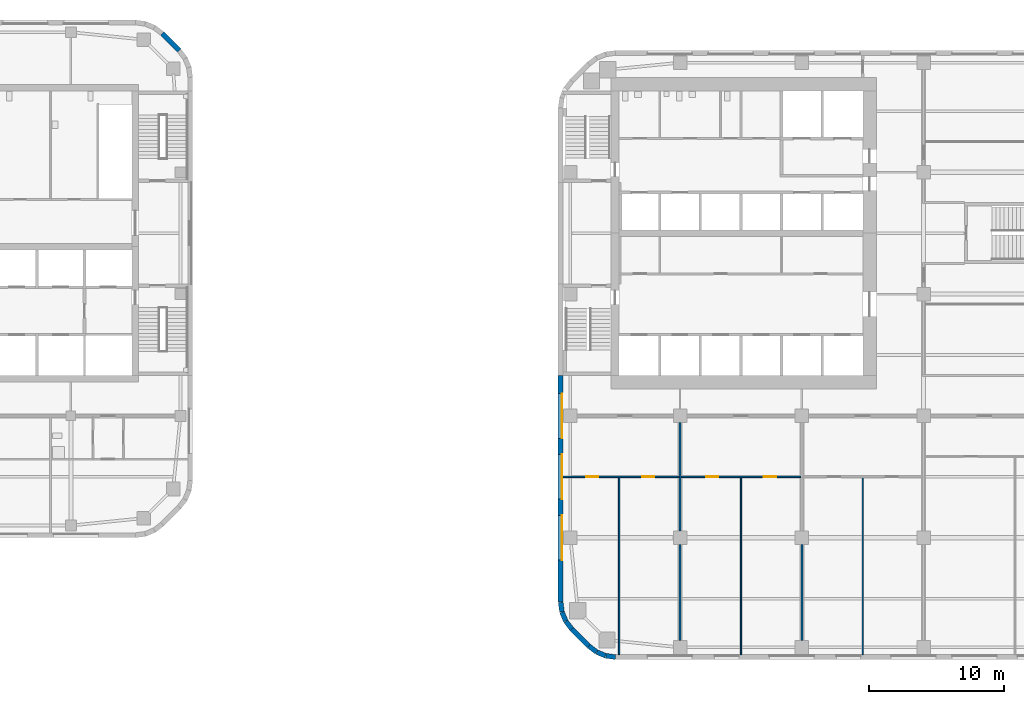
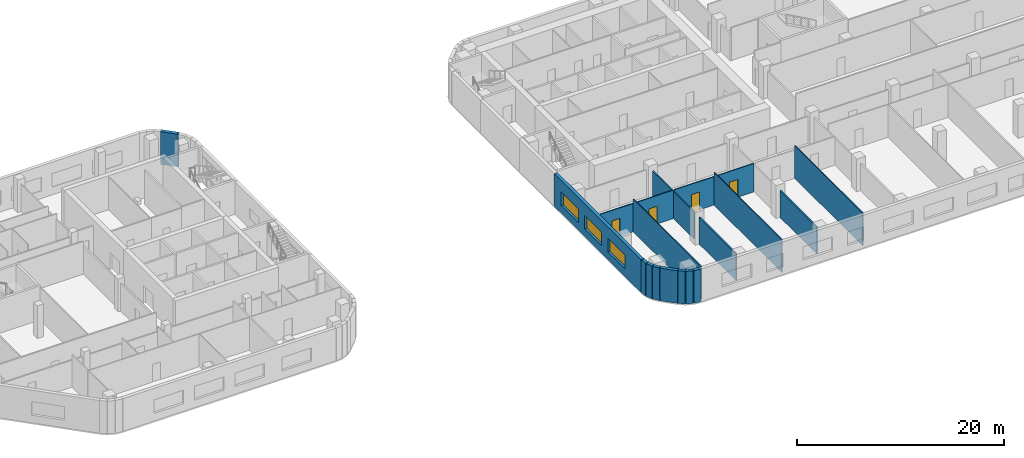
# One storey, part 8 of 16: 17 walls, 4 doors, 3 windows, 7 openings.
"""IFC4 building model written with IfcOpenShell, lengths in metres."""

from ifc_helpers import new_model, si_unit, direction, frame, frame_2d, origin, place, context, subcontext, project, spatial, rectangle, extrude, material, layer, layer_set, type_object, element, fill, save


model = new_model("IFC4")

# Units and contexts
model_context = context("Model", 3, precision=1e-05, world=origin(), true_north=direction((0.0, 1.0)))
body_context = subcontext(model_context, "Body", "Model", "MODEL_VIEW")
ifc_project = project(units=[si_unit("LENGTHUNIT", "METRE"), si_unit("AREAUNIT", "SQUARE_METRE"), si_unit("VOLUMEUNIT", "CUBIC_METRE"), si_unit("PLANEANGLEUNIT", "RADIAN"), si_unit("MASSUNIT", "GRAM", prefix="KILO")], contexts=[model_context])

# Site, building, storey
site_placement = place(None, origin())
site = spatial("IfcSite", under=ifc_project, at=site_placement, CompositionType="ELEMENT")
building_placement = place(site_placement, origin())
building = spatial("IfcBuilding", under=site, at=building_placement, Name="Cinnabar Reach Civic Tower", CompositionType="ELEMENT")
storey_placement = place(building_placement, frame((0.0, 0.0, 83.0)))
storey = spatial("IfcBuildingStorey", under=building, at=storey_placement, Name="L19", CompositionType="ELEMENT", Elevation=83.0)

# Walls
ifc_material_1 = material(Name="Facing brick with insulated backing", Category="masonry")
ifc_layer_1 = layer(ifc_material_1, 0.36)
ifc_layer_set_1 = layer_set([ifc_layer_1], Name="Brick corner wall")
wall_type_1 = type_object("IfcWallType", Name="Brick corner wall", PredefinedType="STANDARD", material=ifc_layer_set_1)
for number, where, z_axis, x_axis, name in (
    (1, (0.183, 4.2314, 0.0), (0.0, 0.0, 1.0), (0.13055608231, -0.99144092581, 0.0), "Brick corner wall"),
    (2, (0.2819, 3.5027, 0.0), (0.0, 0.0, 1.0), (0.382702709855, -0.923871547278, 0.0), "Brick corner wall"),
):
    element("IfcWall", number, at=place(storey_placement, frame(where, z_axis=z_axis, x_axis=x_axis)), inside=storey, type_object=wall_type_1, Name=name, PredefinedType="STANDARD", context=body_context, shape_type="SweptSolid", body=[
        extrude(rectangle(XDim=0.7131, YDim=0.36, at=frame_2d((0.3565, 0.0))), origin(), (0.0, 0.0, 1.0), 3.85),
    ])
for number, where, z_axis, x_axis, name in (
    (3, (0.566, 2.8245, 0.0), (0.0, 0.0, 1.0), (0.608802368033, -0.793321924995, 0.0), "Brick corner wall"),
    (4, (2.2587, 1.0002, 0.0), (0.0, 0.0, 1.0), (0.793321924995, -0.608802368033, 0.0), "Brick corner wall"),
):
    element("IfcWall", number, at=place(storey_placement, frame(where, z_axis=z_axis, x_axis=x_axis)), inside=storey, type_object=wall_type_1, Name=name, PredefinedType="STANDARD", context=body_context, shape_type="SweptSolid", body=[
        extrude(rectangle(XDim=0.7132, YDim=0.36, at=frame_2d((0.3566, 0.0))), origin(), (0.0, 0.0, 1.0), 3.85),
    ])
for number, where, z_axis, x_axis, name in (
    (5, (2.8439, 0.5548, 0.0), (0.0, 0.0, 1.0), (0.923871547278, -0.382702709855, 0.0), "Brick corner wall"),
    (6, (3.5244, 0.2761, 0.0), (0.0, 0.0, 1.0), (0.99144092581, -0.13055608231, 0.0), "Brick corner wall"),
):
    element("IfcWall", number, at=place(storey_placement, frame(where, z_axis=z_axis, x_axis=x_axis)), inside=storey, type_object=wall_type_1, Name=name, PredefinedType="STANDARD", context=body_context, shape_type="SweptSolid", body=[
        extrude(rectangle(XDim=0.7131, YDim=0.36, at=frame_2d((0.3565, 0.0))), origin(), (0.0, 0.0, 1.0), 3.85),
    ])

# Wall, openings, windows
ifc_layer_2 = layer(ifc_material_1, 0.36)
ifc_layer_set_2 = layer_set([ifc_layer_2], Name="Brick pier and spandrel wall")
wall_type_2 = type_object("IfcWallType", Name="Brick pier and spandrel wall", PredefinedType="STANDARD", material=ifc_layer_set_2)
wall_1_placement = place(storey_placement, frame((0.18, 21.0, 0.0), z_axis=(0.0, 0.0, 1.0), x_axis=(0.0, -1.0, 0.0)))
wall_1 = element("IfcWall", 7, at=wall_1_placement, inside=storey, type_object=wall_type_2, Name="Brick facade wall", PredefinedType="STANDARD", context=body_context, shape_type="SweptSolid", body=[
    extrude(rectangle(XDim=16.7574, YDim=0.36, at=frame_2d((8.3787, 0.0))), origin(), (0.0, 0.0, 1.0), 3.85),
])
opening_1_placement = place(wall_1_placement, frame((1.35, 0.0, 0.9)))
opening_1 = element("IfcOpeningElement", 8, at=opening_1_placement, cuts=wall_1, Name="Opening W1399", PredefinedType="OPENING", context=body_context, shape_type="SweptSolid", body=[
    extrude(rectangle(XDim=3.3, YDim=1.6, at=frame_2d((1.65, 0.8))), frame((0.0, 0.19, 0.0), z_axis=(0.0, -1.0, 0.0), x_axis=(1.0, 0.0, 0.0)), (0.0, 0.0, 1.0), 0.38),
])
opening_2_placement = place(wall_1_placement, frame((5.85, 0.0, 0.9)))
opening_2 = element("IfcOpeningElement", 9, at=opening_2_placement, cuts=wall_1, Name="Opening W1400", PredefinedType="OPENING", context=body_context, shape_type="SweptSolid", body=[
    extrude(rectangle(XDim=3.3, YDim=1.6, at=frame_2d((1.65, 0.8))), frame((0.0, 0.19, 0.0), z_axis=(0.0, -1.0, 0.0), x_axis=(1.0, 0.0, 0.0)), (0.0, 0.0, 1.0), 0.38),
])
opening_3_placement = place(wall_1_placement, frame((10.35, 0.0, 0.9)))
opening_3 = element("IfcOpeningElement", 10, at=opening_3_placement, cuts=wall_1, Name="Opening W1401", PredefinedType="OPENING", context=body_context, shape_type="SweptSolid", body=[
    extrude(rectangle(XDim=3.3, YDim=1.6, at=frame_2d((1.65, 0.8))), frame((0.0, 0.19, 0.0), z_axis=(0.0, -1.0, 0.0), x_axis=(1.0, 0.0, 0.0)), (0.0, 0.0, 1.0), 0.38),
])
ifc_material_2 = material(Name="Clear double glazing in aluminium frame", Category="aluminium")
window_type = type_object("IfcWindowType", Name="Deep-set window A", PartitioningType="SINGLE_PANEL", PredefinedType="WINDOW", material=ifc_material_2)
window_1_placement = place(opening_1_placement, origin())
window_1 = element("IfcWindow", 11, at=window_1_placement, inside=storey, type_object=window_type, Name="Window west face", OverallHeight=1.6, OverallWidth=3.3, PartitioningType="SINGLE_PANEL", PredefinedType="WINDOW", context=body_context, shape_type="SweptSolid", body=[
    extrude(rectangle(XDim=3.3, YDim=1.6, at=frame_2d((1.65, 0.8))), frame((0.0, 0.13, 0.0), z_axis=(0.0, -1.0, 0.0), x_axis=(1.0, 0.0, 0.0)), (0.0, 0.0, 1.0), 0.06),
])
fill(opening_1, window_1)
window_2_placement = place(opening_2_placement, origin())
window_2 = element("IfcWindow", 12, at=window_2_placement, inside=storey, type_object=window_type, Name="Window west face", OverallHeight=1.6, OverallWidth=3.3, PartitioningType="SINGLE_PANEL", PredefinedType="WINDOW", context=body_context, shape_type="SweptSolid", body=[
    extrude(rectangle(XDim=3.3, YDim=1.6, at=frame_2d((1.65, 0.8))), frame((0.0, 0.13, 0.0), z_axis=(0.0, -1.0, 0.0), x_axis=(1.0, 0.0, 0.0)), (0.0, 0.0, 1.0), 0.06),
])
fill(opening_2, window_2)
window_3_placement = place(opening_3_placement, origin())
window_3 = element("IfcWindow", 13, at=window_3_placement, inside=storey, type_object=window_type, Name="Window west face", OverallHeight=1.6, OverallWidth=3.3, PartitioningType="SINGLE_PANEL", PredefinedType="WINDOW", context=body_context, shape_type="SweptSolid", body=[
    extrude(rectangle(XDim=3.3, YDim=1.6, at=frame_2d((1.65, 0.8))), frame((0.0, 0.13, 0.0), z_axis=(0.0, -1.0, 0.0), x_axis=(1.0, 0.0, 0.0)), (0.0, 0.0, 1.0), 0.06),
])
fill(opening_3, window_3)

# Walls
for number, where, z_axis, x_axis, name in (
    (14, (1.006, 2.2486, 0.0), (0.0, 0.0, 1.0), (0.707106781187, -0.707106781187, 0.0), "Brick facade wall"),
    (15, (-28.006, 45.0014, 0.0), (0.0, 0.0, 1.0), (-0.707106781187, 0.707106781187, 0.0), "Brick facade wall"),
):
    element("IfcWall", number, at=place(storey_placement, frame(where, z_axis=z_axis, x_axis=x_axis)), inside=storey, type_object=wall_type_2, Name=name, PredefinedType="STANDARD", context=body_context, shape_type="SweptSolid", body=[
        extrude(rectangle(XDim=1.7573, YDim=0.36, at=frame_2d((0.8787, 0.0))), origin(), (0.0, 0.0, 1.0), 3.85),
    ])

# Wall, openings, doors
ifc_material_3 = material(Name="Gypsum board on steel studs", Category="steel")
ifc_layer_3 = layer(ifc_material_3, 0.1)
ifc_layer_set_3 = layer_set([ifc_layer_3], Name="Partition wall 100 T1")
wall_type_3 = type_object("IfcWallType", Name="Partition wall 100 T1", PredefinedType="PARTITIONING", material=ifc_layer_set_3)
wall_2_placement = place(storey_placement, frame((9.075, 13.5, 0.0), z_axis=(0.0, 0.0, 1.0), x_axis=(1.0, 0.0, 0.0)))
wall_2 = element("IfcWall", 16, at=wall_2_placement, inside=storey, type_object=wall_type_3, Name="Partition wall 56", PredefinedType="PARTITIONING", context=body_context, shape_type="SweptSolid", body=[
    extrude(rectangle(XDim=8.85, YDim=0.1, at=frame_2d((4.425, 0.0))), origin(), (0.0, 0.0, 1.0), 3.35),
])
opening_4_placement = place(wall_2_placement, frame((1.85, 0.0, 0.0)))
opening_4 = element("IfcOpeningElement", 17, at=opening_4_placement, cuts=wall_2, Name="Opening D3789", PredefinedType="OPENING", context=body_context, shape_type="SweptSolid", body=[
    extrude(rectangle(XDim=0.9, YDim=2.1, at=frame_2d((0.45, 1.05))), frame((0.0, 0.06, 0.0), z_axis=(0.0, -1.0, 0.0), x_axis=(1.0, 0.0, 0.0)), (0.0, 0.0, 1.0), 0.12),
])
opening_5_placement = place(wall_2_placement, frame((6.125, 0.0, 0.0)))
opening_5 = element("IfcOpeningElement", 18, at=opening_5_placement, cuts=wall_2, Name="Opening D3790", PredefinedType="OPENING", context=body_context, shape_type="SweptSolid", body=[
    extrude(rectangle(XDim=0.9, YDim=2.1, at=frame_2d((0.45, 1.05))), frame((0.0, 0.06, 0.0), z_axis=(0.0, -1.0, 0.0), x_axis=(1.0, 0.0, 0.0)), (0.0, 0.0, 1.0), 0.12),
])
ifc_material_4 = material(Name="Timber door leaf in steel frame", Category="steel")
door_type = type_object("IfcDoorType", Name="Single swing door 900 x 2100 T1", OperationType="SINGLE_SWING_LEFT", PredefinedType="DOOR", material=ifc_material_4)
door_1_placement = place(opening_4_placement, frame((0.9, 0.0, 0.0), z_axis=(0.0, 0.0, 1.0), x_axis=(-1.0, 0.0, 0.0)))
door_1 = element("IfcDoor", 19, at=door_1_placement, inside=storey, type_object=door_type, Name="Door D3789", OperationType="SINGLE_SWING_RIGHT", OverallHeight=2.1, OverallWidth=0.9, PredefinedType="DOOR", context=body_context, shape_type="SweptSolid", body=[
    extrude(rectangle(XDim=0.9, YDim=2.1, at=frame_2d((0.45, 1.05))), frame((0.0, 0.025, 0.0), z_axis=(0.0, -1.0, 0.0), x_axis=(1.0, 0.0, 0.0)), (0.0, 0.0, 1.0), 0.05),
])
fill(opening_4, door_1)
door_2_placement = place(opening_5_placement, frame((0.9, 0.0, 0.0), z_axis=(0.0, 0.0, 1.0), x_axis=(-1.0, 0.0, 0.0)))
door_2 = element("IfcDoor", 20, at=door_2_placement, inside=storey, type_object=door_type, Name="Door D3790", OperationType="SINGLE_SWING_LEFT", OverallHeight=2.1, OverallWidth=0.9, PredefinedType="DOOR", context=body_context, shape_type="SweptSolid", body=[
    extrude(rectangle(XDim=0.9, YDim=2.1, at=frame_2d((0.45, 1.05))), frame((0.0, 0.025, 0.0), z_axis=(0.0, -1.0, 0.0), x_axis=(1.0, 0.0, 0.0)), (0.0, 0.0, 1.0), 0.05),
])
fill(opening_5, door_2)

wall_3_placement = place(storey_placement, frame((0.36, 13.5, 0.0), z_axis=(0.0, 0.0, 1.0), x_axis=(1.0, 0.0, 0.0)))
wall_3 = element("IfcWall", 21, at=wall_3_placement, inside=storey, type_object=wall_type_3, Name="Partition wall 57", PredefinedType="PARTITIONING", context=body_context, shape_type="SweptSolid", body=[
    extrude(rectangle(XDim=8.565, YDim=0.1, at=frame_2d((4.2825, 0.0))), origin(), (0.0, 0.0, 1.0), 3.35),
])
opening_6_placement = place(wall_3_placement, frame((1.7, 0.0, 0.0)))
opening_6 = element("IfcOpeningElement", 22, at=opening_6_placement, cuts=wall_3, Name="Opening D3786", PredefinedType="OPENING", context=body_context, shape_type="SweptSolid", body=[
    extrude(rectangle(XDim=0.9, YDim=2.1, at=frame_2d((0.45, 1.05))), frame((0.0, 0.06, 0.0), z_axis=(0.0, -1.0, 0.0), x_axis=(1.0, 0.0, 0.0)), (0.0, 0.0, 1.0), 0.12),
])
opening_7_placement = place(wall_3_placement, frame((5.84, 0.0, 0.0)))
opening_7 = element("IfcOpeningElement", 23, at=opening_7_placement, cuts=wall_3, Name="Opening D3787", PredefinedType="OPENING", context=body_context, shape_type="SweptSolid", body=[
    extrude(rectangle(XDim=0.9, YDim=2.1, at=frame_2d((0.45, 1.05))), frame((0.0, 0.06, 0.0), z_axis=(0.0, -1.0, 0.0), x_axis=(1.0, 0.0, 0.0)), (0.0, 0.0, 1.0), 0.12),
])
door_3_placement = place(opening_6_placement, origin())
door_3 = element("IfcDoor", 24, at=door_3_placement, inside=storey, type_object=door_type, Name="Door D3786", OperationType="SINGLE_SWING_LEFT", OverallHeight=2.1, OverallWidth=0.9, PredefinedType="DOOR", context=body_context, shape_type="SweptSolid", body=[
    extrude(rectangle(XDim=0.9, YDim=2.1, at=frame_2d((0.45, 1.05))), frame((0.0, 0.025, 0.0), z_axis=(0.0, -1.0, 0.0), x_axis=(1.0, 0.0, 0.0)), (0.0, 0.0, 1.0), 0.05),
])
fill(opening_6, door_3)
door_4_placement = place(opening_7_placement, origin())
door_4 = element("IfcDoor", 25, at=door_4_placement, inside=storey, type_object=door_type, Name="Door D3787", OperationType="SINGLE_SWING_RIGHT", OverallHeight=2.1, OverallWidth=0.9, PredefinedType="DOOR", context=body_context, shape_type="SweptSolid", body=[
    extrude(rectangle(XDim=0.9, YDim=2.1, at=frame_2d((0.45, 1.05))), frame((0.0, 0.025, 0.0), z_axis=(0.0, -1.0, 0.0), x_axis=(1.0, 0.0, 0.0)), (0.0, 0.0, 1.0), 0.05),
])
fill(opening_7, door_4)

# Walls
for number, where, z_axis, x_axis, name in (
    (26, (13.5, 0.36, 0.0), (0.0, 0.0, 1.0), (0.0, 1.0, 0.0), "Partition wall 59"),
    (27, (22.5, 0.36, 0.0), (0.0, 0.0, 1.0), (0.0, 1.0, 0.0), "Partition wall 60"),
    (28, (4.5, 0.36, 0.0), (0.0, 0.0, 1.0), (0.0, 1.0, 0.0), "Partition wall 61"),
):
    element("IfcWall", number, at=place(storey_placement, frame(where, z_axis=z_axis, x_axis=x_axis)), inside=storey, type_object=wall_type_3, Name=name, PredefinedType="PARTITIONING", context=body_context, shape_type="SweptSolid", body=[
        extrude(rectangle(XDim=13.09, YDim=0.1, at=frame_2d((6.545, 0.0))), origin(), (0.0, 0.0, 1.0), 3.85),
    ])
ifc_material_5 = material(Name="Gypsum board on steel studs, double layer", Category="steel")
ifc_layer_4 = layer(ifc_material_5, 0.15)
ifc_layer_set_4 = layer_set([ifc_layer_4], Name="Tenancy separating wall 150 T1")
wall_type_4 = type_object("IfcWallType", Name="Tenancy separating wall 150 T1", PredefinedType="PARTITIONING", material=ifc_layer_set_4)
wall_4_placement = place(storey_placement, frame((9.0, 1.4, 0.0), z_axis=(0.0, 0.0, 1.0), x_axis=(0.0, 1.0, 0.0)))
element("IfcWall", 29, at=wall_4_placement, inside=storey, type_object=wall_type_4, Name="Tenancy separating wall 41", PredefinedType="PARTITIONING", context=body_context, shape_type="SweptSolid", body=[
    extrude(rectangle(XDim=7.1, YDim=0.15, at=frame_2d((3.55, 0.0))), origin(), (0.0, 0.0, 1.0), 3.158),
])
wall_5_placement = place(storey_placement, frame((9.0, 9.5, 0.0), z_axis=(0.0, 0.0, 1.0), x_axis=(0.0, 1.0, 0.0)))
element("IfcWall", 30, at=wall_5_placement, inside=storey, type_object=wall_type_4, Name="Tenancy separating wall 42", PredefinedType="PARTITIONING", context=body_context, shape_type="SweptSolid", body=[
    extrude(rectangle(XDim=8.0, YDim=0.15, at=frame_2d((4.0, 0.0))), origin(), (0.0, 0.0, 1.0), 3.158),
])
wall_6_placement = place(storey_placement, frame((18.0, 1.4, 0.0), z_axis=(0.0, 0.0, 1.0), x_axis=(0.0, 1.0, 0.0)))
element("IfcWall", 31, at=wall_6_placement, inside=storey, type_object=wall_type_4, Name="Tenancy separating wall 43", PredefinedType="PARTITIONING", context=body_context, shape_type="SweptSolid", body=[
    extrude(rectangle(XDim=7.1, YDim=0.15, at=frame_2d((3.55, 0.0))), origin(), (0.0, 0.0, 1.0), 3.158),
])

save(model, "model.ifc")
